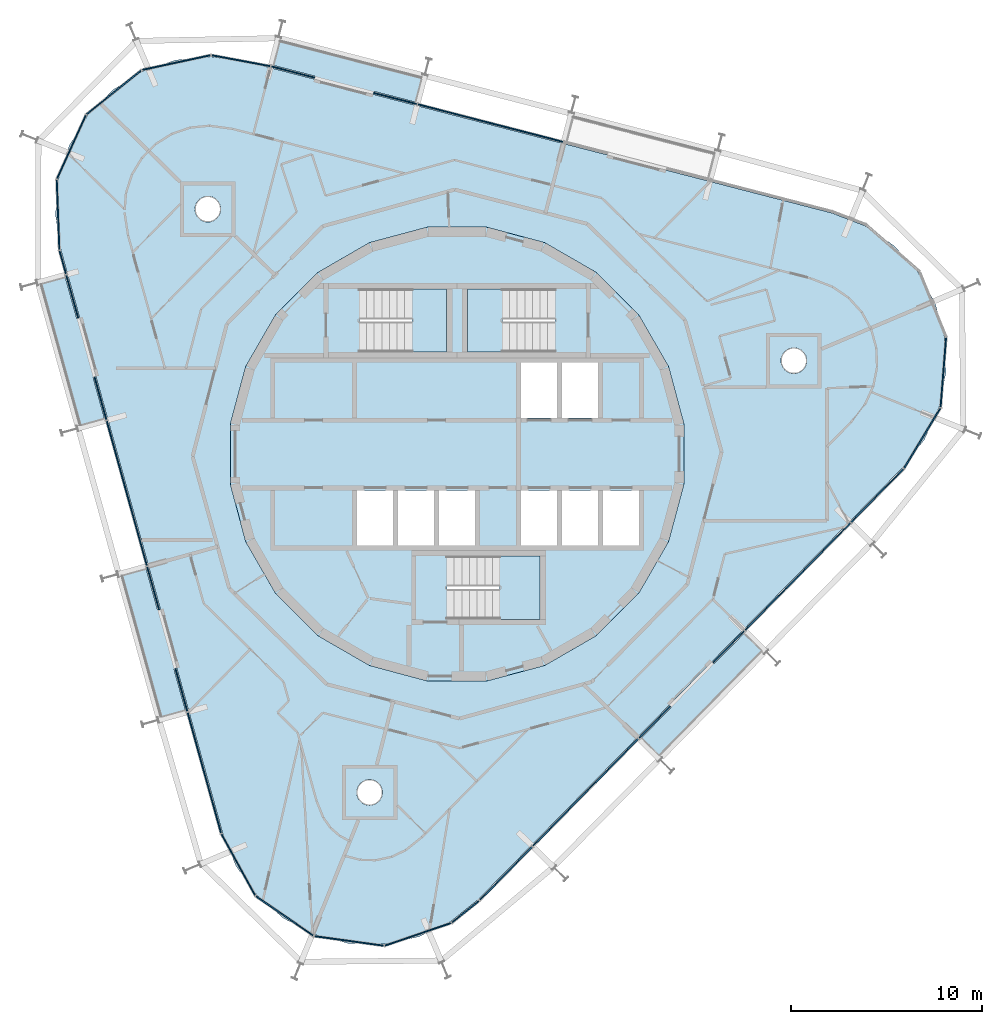
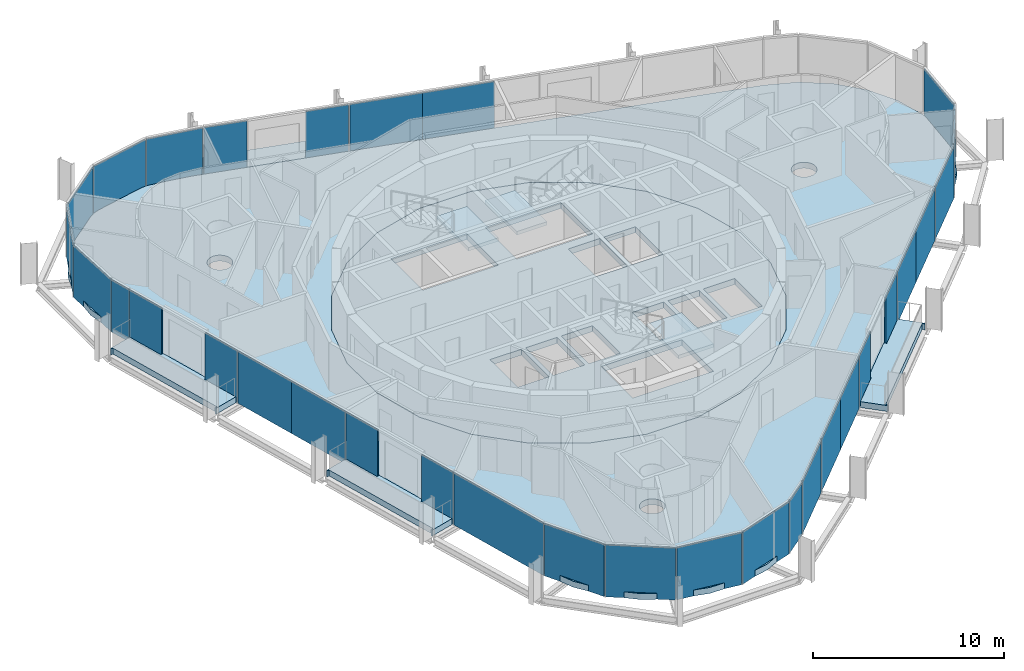
# One storey, part 8 of 15: 32 plates, 9 slabs, 9 elements without a shape of their own.
"""IFC4 building model written with IfcOpenShell, lengths in metres."""

import ifcopenshell
import ifcopenshell.guid

model = None  # the IFC model being written
_history = None  # IfcOwnerHistory: only IFC2X3 demands one
_inside = {}  # id of a spatial element -> (the spatial element, [elements in it])
_under = {}  # id of a project, library or spatial element -> (it, [spatial elements below it])
_declared = {}  # id of a project -> (the project, [libraries it declares])
_typed = {}  # id of a type object -> (the type object, [elements of that type])
_made_of = {}  # id of a material, layer set ... -> (it, [elements and type objects made of it])


def new_model(schema):
    """Start an empty IFC model of exactly this schema.

    Asked for "IFC4X3", IfcOpenShell would pick the latest addendum, in which some entities
    have other attributes; the version numbers below select the first issue.
    IFC2X3 requires an IfcOwnerHistory on every rooted entity: one is made here for all.
    """
    global model, _history
    if schema == "IFC4X3":
        model = ifcopenshell.file(schema_version=(4, 3, 0, 0))
    else:
        model = ifcopenshell.file(schema=schema)
    _inside.clear()
    _under.clear()
    _declared.clear()
    _typed.clear()
    _made_of.clear()
    _history = None
    if model.schema == "IFC2X3":
        org = make("IfcOrganization", Name="unknown")
        user = make(
            "IfcPersonAndOrganization",
            ThePerson=make("IfcPerson", FamilyName="unknown"),
            TheOrganization=org,
        )
        app = make(
            "IfcApplication",
            ApplicationDeveloper=org,
            Version="unknown",
            ApplicationFullName="unknown",
            ApplicationIdentifier="unknown",
        )
        _history = make(
            "IfcOwnerHistory",
            OwningUser=user,
            OwningApplication=app,
            ChangeAction="ADDED",
            CreationDate=0,
        )
    return model


def make(cls, **values):
    """One entity of the class cls with the attributes given. An attribute that is None is left unset."""
    return model.create_entity(
        cls, **{name: value for name, value in values.items() if value is not None}
    )


def rooted(cls, **values):
    """An entity with a GlobalId (a new one), such as an element, a storey or a relation."""
    return make(cls, GlobalId=ifcopenshell.guid.new(), OwnerHistory=_history, **values)


def si_unit(unit_type, name, prefix=None):
    """IfcSIUnit, for example si_unit("LENGTHUNIT", "METRE", prefix="MILLI")."""
    return make("IfcSIUnit", UnitType=unit_type, Prefix=prefix, Name=name)


def assignment(units):
    """IfcUnitAssignment: the units of a project."""
    return None if units is None else make("IfcUnitAssignment", Units=units)


def point(xyz):
    """IfcCartesianPoint."""
    return None if xyz is None else make("IfcCartesianPoint", Coordinates=xyz)


def direction(xyz):
    """IfcDirection."""
    return None if xyz is None else make("IfcDirection", DirectionRatios=xyz)


def frame(location, z_axis=None, x_axis=None):
    """IfcAxis2Placement3D, a coordinate frame: its origin and axes. An axis left out is left unset."""
    return make(
        "IfcAxis2Placement3D",
        Location=point(location),
        Axis=direction(z_axis),
        RefDirection=direction(x_axis),
    )


def frame_2d(location, x_axis=None):
    """IfcAxis2Placement2D, a coordinate frame in the plane: its origin and x axis."""
    return make(
        "IfcAxis2Placement2D", Location=point(location), RefDirection=direction(x_axis)
    )


def origin():
    """The frame at (0, 0, 0) with its axes left unset."""
    return frame((0.0, 0.0, 0.0))


def origin_2d():
    """The frame at (0, 0) in the plane with its x axis left unset."""
    return frame_2d((0.0, 0.0))


def place(relative_to, where):
    """IfcLocalPlacement: puts the frame where relative to a parent placement (None: the world)."""
    return make(
        "IfcLocalPlacement", PlacementRelTo=relative_to, RelativePlacement=where
    )


def context(
    kind, dimensions, precision=None, world=None, true_north=None, identifier=None
):
    """IfcGeometricRepresentationContext, for example the 3D "Model" context."""
    return make(
        "IfcGeometricRepresentationContext",
        ContextIdentifier=identifier,
        ContextType=kind,
        CoordinateSpaceDimension=dimensions,
        Precision=precision,
        WorldCoordinateSystem=world,
        TrueNorth=true_north,
    )


def subcontext(parent, identifier, kind, view, scale=None):
    """IfcGeometricRepresentationSubContext, for example "Body" below "Model"."""
    return make(
        "IfcGeometricRepresentationSubContext",
        ContextIdentifier=identifier,
        ContextType=kind,
        ParentContext=parent,
        TargetScale=scale,
        TargetView=view,
    )


def project(units=None, contexts=None):
    """IfcProject with its units and contexts."""
    return rooted(
        "IfcProject",
        Name="project",
        RepresentationContexts=contexts,
        UnitsInContext=assignment(units),
    )


def spatial(cls, under=None, at=None, **own):
    """A site, building, storey or space (cls), placed at a placement, below another one or the project."""
    s = rooted(cls, ObjectPlacement=at, **own)
    if under is not None:
        _under.setdefault(under.id(), (under, []))[1].append(s)
    return s


def polyline(points):
    """IfcPolyline through the points."""
    return make("IfcPolyline", Points=[point(p) for p in points])


def profile(cls, at=None, kind="AREA", **sizes):
    """A parametric profile (cls). Its sizes go by their IFC names, for example OverallWidth=200.0."""
    return make(cls, ProfileType=kind, Position=at, **sizes)


def rectangle(**sizes):
    """IfcRectangleProfileDef."""
    return profile("IfcRectangleProfileDef", **sizes)


def outline(outer, holes=None, kind="AREA"):
    """IfcArbitraryClosedProfileDef: a profile drawn as a closed curve; with holes, ...WithVoids."""
    if holes is None:
        return make("IfcArbitraryClosedProfileDef", ProfileType=kind, OuterCurve=outer)
    return make(
        "IfcArbitraryProfileDefWithVoids",
        ProfileType=kind,
        OuterCurve=outer,
        InnerCurves=holes,
    )


def extrude(swept, where, along, depth):
    """IfcExtrudedAreaSolid: the profile swept, set in the frame where, extruded along a direction by depth."""
    return make(
        "IfcExtrudedAreaSolid",
        SweptArea=swept,
        Position=where,
        ExtrudedDirection=direction(along),
        Depth=depth,
    )


def shape(context_of_items, identifier, shape_type, items):
    """IfcShapeRepresentation: the items that make up one representation, for example the "Body"."""
    return make(
        "IfcShapeRepresentation",
        ContextOfItems=context_of_items,
        RepresentationIdentifier=identifier,
        RepresentationType=shape_type,
        Items=items,
    )


def material(Name=None, Category=None):
    """IfcMaterial."""
    return make("IfcMaterial", Name=Name, Category=Category)


def layer(
    of_material, thickness, ventilated=None, Name=None, Category=None, Priority=None
):
    """IfcMaterialLayer: one layer of a wall or slab, of a material (None: an air gap)."""
    return make(
        "IfcMaterialLayer",
        Material=of_material,
        LayerThickness=thickness,
        IsVentilated=ventilated,
        Name=Name,
        Category=Category,
        Priority=Priority,
    )


def layer_set(layers, Name=None):
    """IfcMaterialLayerSet."""
    return make("IfcMaterialLayerSet", MaterialLayers=layers, LayerSetName=Name)


def made_of(thing, what):
    """Note that an element or type object is made of a material, layer set ...; save() writes the relation."""
    if what is not None:
        _made_of.setdefault(what.id(), (what, []))[1].append(thing)
    return thing


def type_object(cls, material=None, **own):
    """A type object (cls), such as IfcWallType, which elements share."""
    return made_of(rooted(cls, **own), material)


def element(
    cls,
    number,
    at=None,
    inside=None,
    cuts=None,
    type_object=None,
    material=None,
    context=None,
    identifier="Body",
    shape_type=None,
    held_by="IfcProductDefinitionShape",
    body=None,
    shapes=None,
    **own,
):
    """One element of the class cls, such as IfcWall. Its Tag is "e" and its number.

    at: its placement. inside: the storey or other place that contains it. cuts: it is an
    opening in that element (IfcRelVoidsElement). A single representation is given by context,
    identifier, shape_type and body (its items); several are given by shapes. held_by: the class
    of the entity that holds the representations. save() writes the other relations.
    """
    e = rooted(cls, Tag="e%d" % number, ObjectPlacement=at, **own)
    if body is not None:
        shapes = [shape(context, identifier, shape_type, body)]
    if shapes is not None:
        e.Representation = make(held_by, Representations=shapes)
    if inside is not None:
        _inside.setdefault(inside.id(), (inside, []))[1].append(e)
    if cuts is not None:
        rooted(
            "IfcRelVoidsElement", RelatingBuildingElement=cuts, RelatedOpeningElement=e
        )
    if type_object is not None:
        _typed.setdefault(type_object.id(), (type_object, []))[1].append(e)
    return made_of(e, material)


def aggregate(whole, parts):
    """IfcRelAggregates: a whole, such as a stair, and the parts it consists of."""
    return rooted("IfcRelAggregates", RelatingObject=whole, RelatedObjects=parts)


def save(model, path):
    """Write the relations noted so far, then the file.

    IfcRelAggregates (storeys below a building ...), IfcRelContainedInSpatialStructure (elements
    in a storey), IfcRelDefinesByType, IfcRelAssociatesMaterial and IfcRelDeclares: one each for
    every whole, place, type object, material and project.
    """
    for whole, parts in _under.values():
        aggregate(whole, parts)
    for where, things in _inside.values():
        rooted(
            "IfcRelContainedInSpatialStructure",
            RelatedElements=things,
            RelatingStructure=where,
        )
    for kind, things in _typed.values():
        rooted("IfcRelDefinesByType", RelatedObjects=things, RelatingType=kind)
    for what, things in _made_of.values():
        rooted("IfcRelAssociatesMaterial", RelatedObjects=things, RelatingMaterial=what)
    for by, libraries in _declared.values():
        rooted("IfcRelDeclares", RelatingContext=by, RelatedDefinitions=libraries)
    model.write(path)


model = new_model("IFC4")

# Units and contexts
model_context = context("Model", 3, precision=1e-05, world=origin(), true_north=direction((0.0, 1.0)))
body_context = subcontext(model_context, "Body", "Model", "MODEL_VIEW")
ifc_project = project(units=[si_unit("LENGTHUNIT", "METRE"), si_unit("AREAUNIT", "SQUARE_METRE"), si_unit("VOLUMEUNIT", "CUBIC_METRE"), si_unit("PLANEANGLEUNIT", "RADIAN"), si_unit("MASSUNIT", "GRAM", prefix="KILO")], contexts=[model_context])

# Site, building, storey
site_placement = place(None, origin())
site = spatial("IfcSite", under=ifc_project, at=site_placement, CompositionType="ELEMENT")
building_placement = place(site_placement, origin())
building = spatial("IfcBuilding", under=site, at=building_placement, Name="Spindle Arch Residences", CompositionType="ELEMENT")
storey_placement = place(building_placement, frame((0.0, 0.0, 322.699951171875)))
storey = spatial("IfcBuildingStorey", under=building, at=storey_placement, Name="L83", CompositionType="ELEMENT", Elevation=322.699951171875)

# Slabs
ifc_material_1 = material(Name="Concrete C40/50", Category="concrete")
ifc_layer_1 = layer(ifc_material_1, 0.3798828125)
ifc_layer_set_1 = layer_set([ifc_layer_1], Name="Balcony slab 380")
slab_type_1 = type_object("IfcSlabType", Name="Balcony slab 380", PredefinedType="FLOOR", material=ifc_layer_set_1)
slab_1_placement = place(storey_placement, frame((0.0, 0.0, -0.3798828125)))
element("IfcSlab", 1, at=slab_1_placement, inside=storey, type_object=slab_type_1, Name="Balcony L83 bay 8", PredefinedType="FLOOR", context=body_context, shape_type="SweptSolid", body=[
    extrude(outline(polyline([(-1.763671875, 19.8896484375), (-1.83642578125, 19.908447265625), (-1.8740234375, 19.763427734375), (-9.265869140625, 21.675048828125), (-9.228271484375, 21.8203125), (-9.30078125, 21.839111328125), (-9.673828125, 20.396484375), (-7.454345703125, 19.822509765625), (-7.494384765625, 19.66748046875), (-4.396484375, 18.8662109375), (-4.3564453125, 19.021240234375), (-2.13671875, 18.447265625), (-1.763671875, 19.8896484375)])), origin(), (0.0, 0.0, 1.0), 0.3798828125),
])
slab_2_placement = place(storey_placement, frame((0.0, 0.0, -0.3798828125)))
element("IfcSlab", 2, at=slab_2_placement, inside=storey, type_object=slab_type_1, Name="Balcony L83 bay 12", PredefinedType="FLOOR", context=body_context, shape_type="SweptSolid", body=[
    extrude(outline(polyline([(-21.998046875, 8.918212890625), (-21.97802734375, 8.845947265625), (-21.83349609375, 8.88623046875), (-19.79296875, 1.52880859375), (-19.9375, 1.488525390625), (-19.91748046875, 1.416259765625), (-18.481689453125, 1.814453125), (-19.094482421875, 4.023681640625), (-18.940185546875, 4.06640625), (-19.79541015625, 7.150146484375), (-19.949462890625, 7.107421875), (-20.562255859375, 9.31640625), (-21.998046875, 8.918212890625)])), origin(), (0.0, 0.0, 1.0), 0.3798828125),
])
slab_3_placement = place(storey_placement, frame((0.0, 0.0, -0.3798828125)))
element("IfcSlab", 3, at=slab_3_placement, inside=storey, type_object=slab_type_1, Name="Balcony L83 bay 14", PredefinedType="FLOOR", context=body_context, shape_type="SweptSolid", body=[
    extrude(outline(polyline([(-17.7568359375, -6.374755859375), (-17.73681640625, -6.447021484375), (-17.59228515625, -6.406982421875), (-15.552001953125, -13.76416015625), (-15.696533203125, -13.804443359375), (-15.676513671875, -13.876708984375), (-14.240478515625, -13.478515625), (-14.853271484375, -11.269287109375), (-14.698974609375, -11.2265625), (-15.55419921875, -8.142822265625), (-15.70849609375, -8.185546875), (-16.321044921875, -5.9765625), (-17.7568359375, -6.374755859375)])), origin(), (0.0, 0.0, 1.0), 0.3798828125),
])
slab_4_placement = place(storey_placement, frame((0.0, 0.0, -0.3798828125)))
element("IfcSlab", 4, at=slab_4_placement, inside=storey, type_object=slab_type_1, Name="Balcony L83 bay 20", PredefinedType="FLOOR", context=body_context, shape_type="SweptSolid", body=[
    extrude(outline(polyline([(10.691162109375, -15.963623046875), (10.743896484375, -15.91015625), (10.63671875, -15.80517578125), (15.98828125, -10.359375), (16.09521484375, -10.464599609375), (16.14794921875, -10.410888671875), (15.085205078125, -9.36669921875), (13.478271484375, -11.001708984375), (13.364013671875, -10.8896484375), (11.121337890625, -13.172119140625), (11.2353515625, -13.2841796875), (9.62841796875, -14.91943359375), (10.691162109375, -15.963623046875)])), origin(), (0.0, 0.0, 1.0), 0.3798828125),
])
ifc_material_2 = material(Name="Concrete C50/60", Category="concrete")
ifc_layer_2 = layer(ifc_material_2, 0.3798828125)
ifc_layer_set_2 = layer_set([ifc_layer_2], Name="Core floor slab 380")
slab_type_2 = type_object("IfcSlabType", Name="Core floor slab 380", PredefinedType="FLOOR", material=ifc_layer_set_2)
slab_5_placement = place(storey_placement, frame((0.0, 0.0, -0.3798828125)))
element("IfcSlab", 5, at=slab_5_placement, inside=storey, type_object=slab_type_2, Name="Core floor L83", PredefinedType="FLOOR", context=body_context, shape_type="SweptSolid", body=[
    extrude(outline(polyline([(1.56640625, -11.897216796875), (4.59228515625, -11.086669921875), (7.30517578125, -9.520263671875), (9.520263671875, -7.30517578125), (11.086669921875, -4.59228515625), (11.897216796875, -1.56640625), (11.897216796875, 1.56640625), (11.086669921875, 4.59228515625), (9.520263671875, 7.30517578125), (7.30517578125, 9.520263671875), (4.59228515625, 11.086669921875), (1.56640625, 11.897216796875), (-1.56640625, 11.897216796875), (-4.59228515625, 11.086669921875), (-7.30517578125, 9.520263671875), (-9.520263671875, 7.30517578125), (-11.086669921875, 4.59228515625), (-11.897216796875, 1.56640625), (-11.897216796875, -1.56640625), (-11.086669921875, -4.59228515625), (-9.520263671875, -7.30517578125), (-7.30517578125, -9.520263671875), (-4.59228515625, -11.086669921875), (-1.56640625, -11.897216796875), (1.56640625, -11.897216796875)]), holes=[polyline([(3.35009765625, 1.89990234375), (5.25, 1.89990234375), (5.25, 4.800048828125), (3.35009765625, 4.800048828125), (3.35009765625, 1.89990234375)]), polyline([(5.5, 1.89990234375), (7.39990234375, 1.89990234375), (7.39990234375, 4.800048828125), (5.5, 4.800048828125), (5.5, 1.89990234375)]), polyline([(-5.25, -4.800048828125), (-3.35009765625, -4.800048828125), (-3.35009765625, -1.89990234375), (-5.25, -1.89990234375), (-5.25, -4.800048828125)]), polyline([(-3.10009765625, -4.800048828125), (-1.199951171875, -4.800048828125), (-1.199951171875, -1.89990234375), (-3.10009765625, -1.89990234375), (-3.10009765625, -4.800048828125)]), polyline([(-0.949951171875, -4.800048828125), (0.949951171875, -4.800048828125), (0.949951171875, -1.89990234375), (-0.949951171875, -1.89990234375), (-0.949951171875, -4.800048828125)]), polyline([(3.35009765625, -4.800048828125), (5.25, -4.800048828125), (5.25, -1.89990234375), (3.35009765625, -1.89990234375), (3.35009765625, -4.800048828125)]), polyline([(5.5, -4.800048828125), (7.39990234375, -4.800048828125), (7.39990234375, -1.89990234375), (5.5, -1.89990234375), (5.5, -4.800048828125)]), polyline([(7.64990234375, -4.800048828125), (9.550048828125, -4.800048828125), (9.550048828125, -1.89990234375), (7.64990234375, -1.89990234375), (7.64990234375, -4.800048828125)]), polyline([(5.1298828125, 8.669921875), (0.550048828125, 8.669921875), (0.550048828125, 5.35009765625), (5.1298828125, 5.35009765625), (5.1298828125, 8.669921875)]), polyline([(-5.1298828125, 5.35009765625), (-0.550048828125, 5.35009765625), (-0.550048828125, 8.669921875), (-5.1298828125, 8.669921875), (-5.1298828125, 5.35009765625)]), polyline([(-0.530029296875, -8.669921875), (4.35009765625, -8.669921875), (4.35009765625, -5.35009765625), (-0.530029296875, -5.35009765625), (-0.530029296875, -8.669921875)])]), origin(), (0.0, 0.0, 1.0), 0.3798828125),
])

# Stair, slab
ifc_material_3 = material(Name="Concrete C50/60", Category="concrete")
stair_type = type_object("IfcStairType", Name="Exit stair 16 risers", PredefinedType="HALF_TURN_STAIR", material=ifc_material_3)
stair_1_placement = place(storey_placement, origin())
stair_1 = element("IfcStair", 6, at=stair_1_placement, inside=storey, type_object=stair_type, Name="L83 Exit stair ST1", PredefinedType="HALF_TURN_STAIR")
ifc_material_4 = material(Name="Concrete C50/60", Category="concrete")
ifc_layer_3 = layer(ifc_material_4, 0.219970703125)
ifc_layer_set_3 = layer_set([ifc_layer_3], Name="Exit stair landing 220")
slab_type_3 = type_object("IfcSlabType", Name="Exit stair landing 220", PredefinedType="LANDING", material=ifc_layer_set_3)
slab_6_placement = place(storey_placement, frame((0.0, 0.0, 1.530029296875)))
slab_6 = element("IfcSlab", 7, at=slab_6_placement, type_object=slab_type_3, Name="ST1 landing 1", PredefinedType="LANDING", context=body_context, shape_type="SweptSolid", body=[
    extrude(outline(polyline([(2.3701171875, 8.669921875), (0.550048828125, 8.669921875), (0.550048828125, 5.35009765625), (2.3701171875, 5.35009765625), (2.3701171875, 8.669921875)])), origin(), (0.0, 0.0, 1.0), 0.219970703125),
])
aggregate(stair_1, [slab_6])

stair_2_placement = place(storey_placement, origin())
stair_2 = element("IfcStair", 8, at=stair_2_placement, inside=storey, type_object=stair_type, Name="L83 Exit stair ST2", PredefinedType="HALF_TURN_STAIR")
slab_7_placement = place(storey_placement, frame((0.0, 0.0, 1.530029296875)))
slab_7 = element("IfcSlab", 9, at=slab_7_placement, type_object=slab_type_3, Name="ST2 landing 1", PredefinedType="LANDING", context=body_context, shape_type="SweptSolid", body=[
    extrude(outline(polyline([(-2.3701171875, 5.35009765625), (-0.550048828125, 5.35009765625), (-0.550048828125, 8.669921875), (-2.3701171875, 8.669921875), (-2.3701171875, 5.35009765625)])), origin(), (0.0, 0.0, 1.0), 0.219970703125),
])
aggregate(stair_2, [slab_7])

stair_3_placement = place(storey_placement, origin())
stair_3 = element("IfcStair", 10, at=stair_3_placement, inside=storey, type_object=stair_type, Name="L83 Exit stair ST3", PredefinedType="HALF_TURN_STAIR")
slab_8_placement = place(storey_placement, frame((0.0, 0.0, 1.530029296875)))
slab_8 = element("IfcSlab", 11, at=slab_8_placement, type_object=slab_type_3, Name="ST3 landing 1", PredefinedType="LANDING", context=body_context, shape_type="SweptSolid", body=[
    extrude(outline(polyline([(2.22998046875, -8.669921875), (4.35009765625, -8.669921875), (4.35009765625, -5.35009765625), (2.22998046875, -5.35009765625), (2.22998046875, -8.669921875)])), origin(), (0.0, 0.0, 1.0), 0.219970703125),
])
aggregate(stair_3, [slab_8])

# Slab
ifc_material_5 = material(Name="Concrete C40/50", Category="concrete")
ifc_layer_4 = layer(ifc_material_5, 0.3798828125)
ifc_layer_set_4 = layer_set([ifc_layer_4], Name="Floor slab 380")
slab_type_4 = type_object("IfcSlabType", Name="Floor slab 380", PredefinedType="FLOOR", material=ifc_layer_set_4)
slab_9_placement = place(storey_placement, frame((0.0, 0.0, -0.3798828125)))
element("IfcSlab", 12, at=slab_9_placement, inside=storey, type_object=slab_type_4, Name="Floor slab L83", PredefinedType="FLOOR", context=body_context, shape_type="SweptSolid", body=[
    extrude(outline(polyline([(-0.330078125, -24.517333984375), (-2.006591796875, -25.317138671875), (-3.822509765625, -25.70849609375), (-5.6796875, -25.6708984375), (-7.477783203125, -25.205810546875), (-9.12060546875, -24.33837890625), (-10.518798828125, -23.11572265625), (-11.597412109375, -21.603515625), (-12.29833984375, -19.88330078125), (-20.782470703125, 10.709228515625), (-21.067626953125, 12.544677734375), (-20.921875, 14.396484375), (-20.35302734375, 16.164794921875), (-19.3916015625, 17.754150390625), (-18.08984375, 19.078857421875), (-16.517333984375, 20.06787109375), (-14.759521484375, 20.66748046875), (-12.910400390625, 20.845458984375), (-11.0703125, 20.59228515625), (19.665771484375, 12.6435546875), (21.397705078125, 11.972900390625), (22.9287109375, 10.920654296875), (24.175537109375, 9.5439453125), (25.0712890625, 7.916748046875), (25.567626953125, 6.126708984375), (25.637939453125, 4.2705078125), (25.2783203125, 2.4482421875), (24.5078125, 0.758056640625), (23.36865234375, -0.708984375), (12.24267578125, -12.03076171875), (1.11669921875, -23.352783203125), (-0.330078125, -24.517333984375)]), holes=[polyline([(7.30517578125, -9.520263671875), (9.520263671875, -7.30517578125), (11.086669921875, -4.59228515625), (11.897216796875, -1.56640625), (11.897216796875, 1.56640625), (11.086669921875, 4.59228515625), (9.520263671875, 7.30517578125), (7.30517578125, 9.520263671875), (4.59228515625, 11.086669921875), (1.56640625, 11.897216796875), (-1.56640625, 11.897216796875), (-4.59228515625, 11.086669921875), (-7.30517578125, 9.520263671875), (-9.520263671875, 7.30517578125), (-11.086669921875, 4.59228515625), (-11.897216796875, 1.56640625), (-11.897216796875, -1.56640625), (-11.086669921875, -4.59228515625), (-9.520263671875, -7.30517578125), (-7.30517578125, -9.520263671875), (-4.59228515625, -11.086669921875), (-1.56640625, -11.897216796875), (1.56640625, -11.897216796875), (4.59228515625, -11.086669921875), (7.30517578125, -9.520263671875)]), polyline([(-4.028076171875, -18.120361328125), (-3.9658203125, -18.003662109375), (-3.92724609375, -17.877197265625), (-3.914306640625, -17.745361328125), (-3.92724609375, -17.61376953125), (-3.9658203125, -17.487060546875), (-4.028076171875, -17.370361328125), (-4.112060546875, -17.26806640625), (-4.21435546875, -17.18408203125), (-4.3310546875, -17.121826171875), (-4.45751953125, -17.08349609375), (-4.58935546875, -17.0703125), (-4.720947265625, -17.08349609375), (-4.84765625, -17.121826171875), (-4.96435546875, -17.18408203125), (-5.066650390625, -17.26806640625), (-5.150390625, -17.370361328125), (-5.212890625, -17.487060546875), (-5.251220703125, -17.61376953125), (-5.264404296875, -17.745361328125), (-5.251220703125, -17.877197265625), (-5.212890625, -18.003662109375), (-5.150390625, -18.120361328125), (-5.066650390625, -18.22265625), (-4.96435546875, -18.306640625), (-4.84765625, -18.368896484375), (-4.720947265625, -18.407470703125), (-4.58935546875, -18.42041015625), (-4.45751953125, -18.407470703125), (-4.3310546875, -18.368896484375), (-4.21435546875, -18.306640625), (-4.112060546875, -18.22265625), (-4.028076171875, -18.120361328125)]), polyline([(-12.595947265625, 12.369873046875), (-12.51220703125, 12.47216796875), (-12.44970703125, 12.5888671875), (-12.411376953125, 12.71533203125), (-12.398193359375, 12.84716796875), (-12.411376953125, 12.978759765625), (-12.44970703125, 13.10546875), (-12.51220703125, 13.22216796875), (-12.595947265625, 13.324462890625), (-12.6982421875, 13.408203125), (-12.81494140625, 13.470703125), (-12.941650390625, 13.509033203125), (-13.0732421875, 13.522216796875), (-13.205078125, 13.509033203125), (-13.33154296875, 13.470703125), (-13.4482421875, 13.408203125), (-13.550537109375, 13.324462890625), (-13.634521484375, 13.22216796875), (-13.697021484375, 13.10546875), (-13.7353515625, 12.978759765625), (-13.748291015625, 12.84716796875), (-13.7353515625, 12.71533203125), (-13.697021484375, 12.5888671875), (-13.634521484375, 12.47216796875), (-13.550537109375, 12.369873046875), (-13.4482421875, 12.285888671875), (-13.33154296875, 12.223388671875), (-13.205078125, 12.18505859375), (-13.0732421875, 12.172119140625), (-12.941650390625, 12.18505859375), (-12.81494140625, 12.223388671875), (-12.6982421875, 12.285888671875), (-12.595947265625, 12.369873046875)]), polyline([(18.139892578125, 4.4208984375), (18.223876953125, 4.523193359375), (18.2861328125, 4.639892578125), (18.32470703125, 4.7666015625), (18.337646484375, 4.898193359375), (18.32470703125, 5.030029296875), (18.2861328125, 5.156494140625), (18.223876953125, 5.273193359375), (18.139892578125, 5.37548828125), (18.03759765625, 5.45947265625), (17.9208984375, 5.52197265625), (17.794189453125, 5.560302734375), (17.66259765625, 5.5732421875), (17.531005859375, 5.560302734375), (17.404296875, 5.52197265625), (17.28759765625, 5.45947265625), (17.185302734375, 5.37548828125), (17.101318359375, 5.273193359375), (17.0390625, 5.156494140625), (17.00048828125, 5.030029296875), (16.987548828125, 4.898193359375), (17.00048828125, 4.7666015625), (17.0390625, 4.639892578125), (17.101318359375, 4.523193359375), (17.185302734375, 4.4208984375), (17.28759765625, 4.337158203125), (17.404296875, 4.274658203125), (17.531005859375, 4.236328125), (17.66259765625, 4.223388671875), (17.794189453125, 4.236328125), (17.9208984375, 4.274658203125), (18.03759765625, 4.337158203125), (18.139892578125, 4.4208984375)])]), origin(), (0.0, 0.0, 1.0), 0.3798828125),
])

# Curtain wall, plates
ifc_material_6 = material(Name="Aluminium bronze unitised frame with tinted glass", Category="aluminium")
ifc_layer_5 = layer(ifc_material_6, 0.159912109375)
ifc_layer_set_5 = layer_set([ifc_layer_5], Name="CW-D corner wall on the fillet arcs")
curtain_wall_type_1 = type_object("IfcCurtainWallType", Name="CW-D corner wall on the fillet arcs", PredefinedType="NOTDEFINED", material=ifc_layer_set_5)
curtain_wall_1_placement = place(storey_placement, origin())
curtain_wall_1 = element("IfcCurtainWall", 13, at=curtain_wall_1_placement, inside=storey, type_object=curtain_wall_type_1, Name="CW-D L83 run 1", PredefinedType="NOTDEFINED")
ifc_material_7 = material(Name="Tinted double glazing over non-combustible spandrel zone with 0.55 mm stainless steel cavity fire stop (K0)", Category="steel")
ifc_layer_6 = layer(ifc_material_7, 0.070068359375)
ifc_layer_set_6 = layer_set([ifc_layer_6], Name="Unitised glass panel with spandrel zone and stainless cavity fire stop")
plate_type = type_object("IfcPlateType", Name="Unitised glass panel with spandrel zone and stainless cavity fire stop", PredefinedType="CURTAIN_PANEL", material=ifc_layer_set_6)
plate_1_placement = place(storey_placement, frame((22.033935546875, -2.18115234375, -0.3798828125), z_axis=(0.0, 0.0, 1.0), x_axis=(0.7009092643, 0.713250449154, 0.0)))
plate_1 = element("IfcPlate", 14, at=plate_1_placement, type_object=plate_type, Name="CW-D unit 00", PredefinedType="CURTAIN_PANEL", context=body_context, shape_type="SweptSolid", body=[
    extrude(rectangle(XDim=3.910888671875, YDim=0.070068359375, at=origin_2d()), origin(), (0.0, 0.0, 1.0), 3.31005859375),
])
plate_2_placement = place(storey_placement, frame((24.39013671875, 0.829345703125, -0.3798828125), z_axis=(0.0, 0.0, 1.0), x_axis=(0.517529288252, 0.855665492936, 0.0)))
plate_2 = element("IfcPlate", 15, at=plate_2_placement, type_object=plate_type, Name="CW-D unit 01", PredefinedType="CURTAIN_PANEL", context=body_context, shape_type="SweptSolid", body=[
    extrude(rectangle(XDim=3.666748046875, YDim=0.070068359375, at=origin_2d()), origin(), (0.0, 0.0, 1.0), 3.31005859375),
])
plate_3_placement = place(storey_placement, frame((25.50048828125, 4.281494140625, -0.3798828125), z_axis=(0.0, 0.0, 1.0), x_axis=(0.078459091935, 0.996917334032, 0.0)))
plate_3 = element("IfcPlate", 16, at=plate_3_placement, type_object=plate_type, Name="CW-D unit 02", PredefinedType="CURTAIN_PANEL", context=body_context, shape_type="SweptSolid", body=[
    extrude(rectangle(XDim=3.666748046875, YDim=0.070068359375, at=origin_2d()), origin(), (0.0, 0.0, 1.0), 3.31005859375),
])
aggregate(curtain_wall_1, [plate_1, plate_2, plate_3])

ifc_material_8 = material(Name="Aluminium bronze unitised frame with tinted glass", Category="aluminium")
ifc_layer_7 = layer(ifc_material_8, 0.159912109375)
ifc_layer_set_7 = layer_set([ifc_layer_7], Name="CW-C typical residential unitised wall")
curtain_wall_type_2 = type_object("IfcCurtainWallType", Name="CW-C typical residential unitised wall", PredefinedType="NOTDEFINED", material=ifc_layer_set_7)
curtain_wall_2_placement = place(storey_placement, origin())
curtain_wall_2 = element("IfcCurtainWall", 17, at=curtain_wall_2_placement, inside=storey, type_object=curtain_wall_type_2, Name="CW-C L83 run 2", PredefinedType="NOTDEFINED")
plate_4_placement = place(storey_placement, frame((3.6630859375, 16.86474609375, -0.3798828125), z_axis=(0.0, 0.0, 1.0), x_axis=(-0.968147640378, 0.250380004054, 0.0)))
plate_4 = element("IfcPlate", 18, at=plate_4_placement, type_object=plate_type, Name="CW-C unit 06A", PredefinedType="CURTAIN_PANEL", context=body_context, shape_type="SweptSolid", body=[
    extrude(rectangle(XDim=3.9375, YDim=0.070068359375, at=origin_2d()), origin(), (0.0, 0.0, 1.0), 3.31005859375),
])
plate_5_placement = place(storey_placement, frame((-0.149169921875, 17.8505859375, -0.3798828125), z_axis=(0.0, 0.0, 1.0), x_axis=(-0.968147640378, 0.250380004054, 0.0)))
plate_5 = element("IfcPlate", 19, at=plate_5_placement, type_object=plate_type, Name="CW-C unit 06B", PredefinedType="CURTAIN_PANEL", context=body_context, shape_type="SweptSolid", body=[
    extrude(rectangle(XDim=3.9375, YDim=0.070068359375, at=origin_2d()), origin(), (0.0, 0.0, 1.0), 3.31005859375),
])
plate_6_placement = place(storey_placement, frame((-3.244873046875, 18.651123046875, -0.3798828125), z_axis=(0.0, 0.0, 1.0), x_axis=(-0.968147640378, 0.250380004054, 0.0)))
plate_6 = element("IfcPlate", 20, at=plate_6_placement, type_object=plate_type, Name="CW-C unit 07L", PredefinedType="CURTAIN_PANEL", context=body_context, shape_type="SweptSolid", body=[
    extrude(rectangle(XDim=2.337646484375, YDim=0.070068359375, at=origin_2d()), origin(), (0.0, 0.0, 1.0), 3.31005859375),
])
plate_7_placement = place(storey_placement, frame((-8.60595703125, 20.03759765625, -0.3798828125), z_axis=(0.0, 0.0, 1.0), x_axis=(-0.968147640378, 0.250380004054, 0.0)))
plate_7 = element("IfcPlate", 21, at=plate_7_placement, type_object=plate_type, Name="CW-C unit 07R", PredefinedType="CURTAIN_PANEL", context=body_context, shape_type="SweptSolid", body=[
    extrude(rectangle(XDim=2.337646484375, YDim=0.070068359375, at=origin_2d()), origin(), (0.0, 0.0, 1.0), 3.31005859375),
])
aggregate(curtain_wall_2, [plate_4, plate_5, plate_6, plate_7])

curtain_wall_3_placement = place(storey_placement, origin())
curtain_wall_3 = element("IfcCurtainWall", 22, at=curtain_wall_3_placement, inside=storey, type_object=curtain_wall_type_1, Name="CW-D L83 run 3", PredefinedType="NOTDEFINED")
plate_8_placement = place(storey_placement, frame((-11.337646484375, 20.631591796875, -0.3798828125), z_axis=(0.0, 0.0, 1.0), x_axis=(-0.98295670176, 0.183837217301, 0.0)))
plate_8 = element("IfcPlate", 23, at=plate_8_placement, type_object=plate_type, Name="CW-D unit 00", PredefinedType="CURTAIN_PANEL", context=body_context, shape_type="SweptSolid", body=[
    extrude(rectangle(XDim=3.13671875, YDim=0.070068359375, at=origin_2d()), origin(), (0.0, 0.0, 1.0), 3.31005859375),
])
plate_9_placement = place(storey_placement, frame((-14.73046875, 20.53271484375, -0.3798828125), z_axis=(0.0, 0.0, 1.0), x_axis=(-0.977538671364, -0.210756129184, 0.0)))
plate_9 = element("IfcPlate", 24, at=plate_9_placement, type_object=plate_type, Name="CW-D unit 01", PredefinedType="CURTAIN_PANEL", context=body_context, shape_type="SweptSolid", body=[
    extrude(rectangle(XDim=3.666748046875, YDim=0.070068359375, at=origin_2d()), origin(), (0.0, 0.0, 1.0), 3.31005859375),
])
plate_10_placement = place(storey_placement, frame((-18.00341796875, 18.9716796875, -0.3798828125), z_axis=(0.0, 0.0, 1.0), x_axis=(-0.778973288411, -0.627057107401, 0.0)))
plate_10 = element("IfcPlate", 25, at=plate_10_placement, type_object=plate_type, Name="CW-D unit 02", PredefinedType="CURTAIN_PANEL", context=body_context, shape_type="SweptSolid", body=[
    extrude(rectangle(XDim=3.666748046875, YDim=0.070068359375, at=origin_2d()), origin(), (0.0, 0.0, 1.0), 3.31005859375),
])
plate_11_placement = place(storey_placement, frame((-20.2275390625, 16.107421875, -0.3798828125), z_axis=(0.0, 0.0, 1.0), x_axis=(-0.414693245896, -0.9099612694, 0.0)))
plate_11 = element("IfcPlate", 26, at=plate_11_placement, type_object=plate_type, Name="CW-D unit 03", PredefinedType="CURTAIN_PANEL", context=body_context, shape_type="SweptSolid", body=[
    extrude(rectangle(XDim=3.666748046875, YDim=0.070068359375, at=origin_2d()), origin(), (0.0, 0.0, 1.0), 3.31005859375),
])
plate_12_placement = place(storey_placement, frame((-20.929931640625, 12.5498046875, -0.3798828125), z_axis=(0.0, 0.0, 1.0), x_axis=(0.037806455536, -0.999285080405, 0.0)))
plate_12 = element("IfcPlate", 27, at=plate_12_placement, type_object=plate_type, Name="CW-D unit 04", PredefinedType="CURTAIN_PANEL", context=body_context, shape_type="SweptSolid", body=[
    extrude(rectangle(XDim=3.666748046875, YDim=0.070068359375, at=origin_2d()), origin(), (0.0, 0.0, 1.0), 3.31005859375),
])
plate_13_placement = place(storey_placement, frame((-20.682373046875, 10.049072265625, -0.3798828125), z_axis=(0.0, 0.0, 1.0), x_axis=(0.267238376078, -0.963630453209, 0.0)))
plate_13 = element("IfcPlate", 28, at=plate_13_placement, type_object=plate_type, Name="CW-D unit 05", PredefinedType="CURTAIN_PANEL", context=body_context, shape_type="SweptSolid", body=[
    extrude(rectangle(XDim=1.265869140625, YDim=0.070068359375, at=origin_2d()), origin(), (0.0, 0.0, 1.0), 3.31005859375),
])
aggregate(curtain_wall_3, [plate_8, plate_9, plate_10, plate_11, plate_12, plate_13])

curtain_wall_4_placement = place(storey_placement, origin())
curtain_wall_4 = element("IfcCurtainWall", 29, at=curtain_wall_4_placement, inside=storey, type_object=curtain_wall_type_2, Name="CW-C L83 run 4", PredefinedType="NOTDEFINED")
plate_14_placement = place(storey_placement, frame((-20.184814453125, 8.2548828125, -0.3798828125), z_axis=(0.0, 0.0, 1.0), x_axis=(0.267238376078, -0.963630453209, 0.0)))
plate_14 = element("IfcPlate", 30, at=plate_14_placement, type_object=plate_type, Name="CW-C unit 11L", PredefinedType="CURTAIN_PANEL", context=body_context, shape_type="SweptSolid", body=[
    extrude(rectangle(XDim=2.337646484375, YDim=0.070068359375, at=origin_2d()), origin(), (0.0, 0.0, 1.0), 3.31005859375),
])
plate_15_placement = place(storey_placement, frame((-18.704833984375, 2.9189453125, -0.3798828125), z_axis=(0.0, 0.0, 1.0), x_axis=(0.267238376078, -0.963630453209, 0.0)))
plate_15 = element("IfcPlate", 31, at=plate_15_placement, type_object=plate_type, Name="CW-C unit 11R", PredefinedType="CURTAIN_PANEL", context=body_context, shape_type="SweptSolid", body=[
    extrude(rectangle(XDim=2.337646484375, YDim=0.070068359375, at=origin_2d()), origin(), (0.0, 0.0, 1.0), 3.31005859375),
])
plate_16_placement = place(storey_placement, frame((-17.850341796875, -0.162353515625, -0.3798828125), z_axis=(0.0, 0.0, 1.0), x_axis=(0.267238376078, -0.963630453209, 0.0)))
plate_16 = element("IfcPlate", 32, at=plate_16_placement, type_object=plate_type, Name="CW-C unit 12A", PredefinedType="CURTAIN_PANEL", context=body_context, shape_type="SweptSolid", body=[
    extrude(rectangle(XDim=3.9375, YDim=0.070068359375, at=origin_2d()), origin(), (0.0, 0.0, 1.0), 3.31005859375),
])
plate_17_placement = place(storey_placement, frame((-16.798095703125, -3.956787109375, -0.3798828125), z_axis=(0.0, 0.0, 1.0), x_axis=(0.267238376078, -0.963630453209, 0.0)))
plate_17 = element("IfcPlate", 33, at=plate_17_placement, type_object=plate_type, Name="CW-C unit 12B", PredefinedType="CURTAIN_PANEL", context=body_context, shape_type="SweptSolid", body=[
    extrude(rectangle(XDim=3.9375, YDim=0.070068359375, at=origin_2d()), origin(), (0.0, 0.0, 1.0), 3.31005859375),
])
plate_18_placement = place(storey_placement, frame((-15.943603515625, -7.0380859375, -0.3798828125), z_axis=(0.0, 0.0, 1.0), x_axis=(0.267238376078, -0.963630453209, 0.0)))
plate_18 = element("IfcPlate", 34, at=plate_18_placement, type_object=plate_type, Name="CW-C unit 13L", PredefinedType="CURTAIN_PANEL", context=body_context, shape_type="SweptSolid", body=[
    extrude(rectangle(XDim=2.337646484375, YDim=0.070068359375, at=origin_2d()), origin(), (0.0, 0.0, 1.0), 3.31005859375),
])
plate_19_placement = place(storey_placement, frame((-14.4638671875, -12.374267578125, -0.3798828125), z_axis=(0.0, 0.0, 1.0), x_axis=(0.267238376078, -0.963630453209, 0.0)))
plate_19 = element("IfcPlate", 35, at=plate_19_placement, type_object=plate_type, Name="CW-C unit 13R", PredefinedType="CURTAIN_PANEL", context=body_context, shape_type="SweptSolid", body=[
    extrude(rectangle(XDim=2.337646484375, YDim=0.070068359375, at=origin_2d()), origin(), (0.0, 0.0, 1.0), 3.31005859375),
])
aggregate(curtain_wall_4, [plate_14, plate_15, plate_16, plate_17, plate_18, plate_19])

curtain_wall_5_placement = place(storey_placement, origin())
curtain_wall_5 = element("IfcCurtainWall", 36, at=curtain_wall_5_placement, inside=storey, type_object=curtain_wall_type_1, Name="CW-D L83 run 5", PredefinedType="NOTDEFINED")
plate_20_placement = place(storey_placement, frame((-13.259521484375, -16.717041015625, -0.3798828125), z_axis=(0.0, 0.0, 1.0), x_axis=(0.267238376078, -0.963630453209, 0.0)))
plate_20 = element("IfcPlate", 37, at=plate_20_placement, type_object=plate_type, Name="CW-D unit 00", PredefinedType="CURTAIN_PANEL", context=body_context, shape_type="SweptSolid", body=[
    extrude(rectangle(XDim=6.555908203125, YDim=0.070068359375, at=origin_2d()), origin(), (0.0, 0.0, 1.0), 3.31005859375),
])
plate_21_placement = place(storey_placement, frame((-11.476806640625, -21.537109375, -0.3798828125), z_axis=(0.0, 0.0, 1.0), x_axis=(0.482263404731, -0.876026260142, 0.0)))
plate_21 = element("IfcPlate", 38, at=plate_21_placement, type_object=plate_type, Name="CW-D unit 01", PredefinedType="CURTAIN_PANEL", context=body_context, shape_type="SweptSolid", body=[
    extrude(rectangle(XDim=3.666748046875, YDim=0.070068359375, at=origin_2d()), origin(), (0.0, 0.0, 1.0), 3.31005859375),
])
plate_22_placement = place(storey_placement, frame((-9.04248046875, -24.224853515625, -0.3798828125), z_axis=(0.0, 0.0, 1.0), x_axis=(0.824126188573, -0.566406236997, 0.0)))
plate_22 = element("IfcPlate", 39, at=plate_22_placement, type_object=plate_type, Name="CW-D unit 02", PredefinedType="CURTAIN_PANEL", context=body_context, shape_type="SweptSolid", body=[
    extrude(rectangle(XDim=3.666748046875, YDim=0.070068359375, at=origin_2d()), origin(), (0.0, 0.0, 1.0), 3.31005859375),
])
plate_23_placement = place(storey_placement, frame((-5.660888671875, -25.5341796875, -0.3798828125), z_axis=(0.0, 0.0, 1.0), x_axis=(0.99066871764, -0.136291936259, 0.0)))
plate_23 = element("IfcPlate", 40, at=plate_23_placement, type_object=plate_type, Name="CW-D unit 03", PredefinedType="CURTAIN_PANEL", context=body_context, shape_type="SweptSolid", body=[
    extrude(rectangle(XDim=3.666748046875, YDim=0.070068359375, at=origin_2d()), origin(), (0.0, 0.0, 1.0), 3.31005859375),
])
plate_24_placement = place(storey_placement, frame((-2.05126953125, -25.186767578125, -0.3798828125), z_axis=(0.0, 0.0, 1.0), x_axis=(0.946461612616, 0.322816381002, 0.0)))
plate_24 = element("IfcPlate", 41, at=plate_24_placement, type_object=plate_type, Name="CW-D unit 04", PredefinedType="CURTAIN_PANEL", context=body_context, shape_type="SweptSolid", body=[
    extrude(rectangle(XDim=3.666748046875, YDim=0.070068359375, at=origin_2d()), origin(), (0.0, 0.0, 1.0), 3.31005859375),
])
plate_25_placement = place(storey_placement, frame((0.443115234375, -23.9970703125, -0.3798828125), z_axis=(0.0, 0.0, 1.0), x_axis=(0.778973292636, 0.627057102153, 0.0)))
plate_25 = element("IfcPlate", 42, at=plate_25_placement, type_object=plate_type, Name="CW-D unit 05", PredefinedType="CURTAIN_PANEL", context=body_context, shape_type="SweptSolid", body=[
    extrude(rectangle(XDim=1.816162109375, YDim=0.070068359375, at=origin_2d()), origin(), (0.0, 0.0, 1.0), 3.31005859375),
])
plate_26_placement = place(storey_placement, frame((2.5654296875, -21.99267578125, -0.3798828125), z_axis=(0.0, 0.0, 1.0), x_axis=(0.7009092643, 0.713250449154, 0.0)))
plate_26 = element("IfcPlate", 43, at=plate_26_placement, type_object=plate_type, Name="CW-D unit 06", PredefinedType="CURTAIN_PANEL", context=body_context, shape_type="SweptSolid", body=[
    extrude(rectangle(XDim=3.910888671875, YDim=0.070068359375, at=origin_2d()), origin(), (0.0, 0.0, 1.0), 3.31005859375),
])
aggregate(curtain_wall_5, [plate_20, plate_21, plate_22, plate_23, plate_24, plate_25, plate_26])

curtain_wall_6_placement = place(storey_placement, origin())
curtain_wall_6 = element("IfcCurtainWall", 44, at=curtain_wall_6_placement, inside=storey, type_object=curtain_wall_type_2, Name="CW-C L83 run 6", PredefinedType="NOTDEFINED")
plate_27_placement = place(storey_placement, frame((5.35791015625, -19.15087890625, -0.3798828125), z_axis=(0.0, 0.0, 1.0), x_axis=(0.7009092643, 0.713250449154, 0.0)))
plate_27 = element("IfcPlate", 45, at=plate_27_placement, type_object=plate_type, Name="CW-C unit 18A", PredefinedType="CURTAIN_PANEL", context=body_context, shape_type="SweptSolid", body=[
    extrude(rectangle(XDim=3.9375, YDim=0.070068359375, at=origin_2d()), origin(), (0.0, 0.0, 1.0), 3.31005859375),
])
plate_28_placement = place(storey_placement, frame((8.117919921875, -16.34228515625, -0.3798828125), z_axis=(0.0, 0.0, 1.0), x_axis=(0.7009092643, 0.713250449154, 0.0)))
plate_28 = element("IfcPlate", 46, at=plate_28_placement, type_object=plate_type, Name="CW-C unit 18B", PredefinedType="CURTAIN_PANEL", context=body_context, shape_type="SweptSolid", body=[
    extrude(rectangle(XDim=3.9375, YDim=0.070068359375, at=origin_2d()), origin(), (0.0, 0.0, 1.0), 3.31005859375),
])
plate_29_placement = place(storey_placement, frame((10.359130859375, -14.061767578125, -0.3798828125), z_axis=(0.0, 0.0, 1.0), x_axis=(0.7009092643, 0.713250449154, 0.0)))
plate_29 = element("IfcPlate", 47, at=plate_29_placement, type_object=plate_type, Name="CW-C unit 19L", PredefinedType="CURTAIN_PANEL", context=body_context, shape_type="SweptSolid", body=[
    extrude(rectangle(XDim=2.337646484375, YDim=0.070068359375, at=origin_2d()), origin(), (0.0, 0.0, 1.0), 3.31005859375),
])
plate_30_placement = place(storey_placement, frame((14.240478515625, -10.112060546875, -0.3798828125), z_axis=(0.0, 0.0, 1.0), x_axis=(0.7009092643, 0.713250449154, 0.0)))
plate_30 = element("IfcPlate", 48, at=plate_30_placement, type_object=plate_type, Name="CW-C unit 19R", PredefinedType="CURTAIN_PANEL", context=body_context, shape_type="SweptSolid", body=[
    extrude(rectangle(XDim=2.337646484375, YDim=0.070068359375, at=origin_2d()), origin(), (0.0, 0.0, 1.0), 3.31005859375),
])
plate_31_placement = place(storey_placement, frame((16.481689453125, -7.83154296875, -0.3798828125), z_axis=(0.0, 0.0, 1.0), x_axis=(0.7009092643, 0.713250449154, 0.0)))
plate_31 = element("IfcPlate", 49, at=plate_31_placement, type_object=plate_type, Name="CW-C unit 00A", PredefinedType="CURTAIN_PANEL", context=body_context, shape_type="SweptSolid", body=[
    extrude(rectangle(XDim=3.9375, YDim=0.070068359375, at=origin_2d()), origin(), (0.0, 0.0, 1.0), 3.31005859375),
])
plate_32_placement = place(storey_placement, frame((19.241455078125, -5.02294921875, -0.3798828125), z_axis=(0.0, 0.0, 1.0), x_axis=(0.7009092643, 0.713250449154, 0.0)))
plate_32 = element("IfcPlate", 50, at=plate_32_placement, type_object=plate_type, Name="CW-C unit 00B", PredefinedType="CURTAIN_PANEL", context=body_context, shape_type="SweptSolid", body=[
    extrude(rectangle(XDim=3.9375, YDim=0.070068359375, at=origin_2d()), origin(), (0.0, 0.0, 1.0), 3.31005859375),
])
aggregate(curtain_wall_6, [plate_27, plate_28, plate_29, plate_30, plate_31, plate_32])

save(model, "model.ifc")
